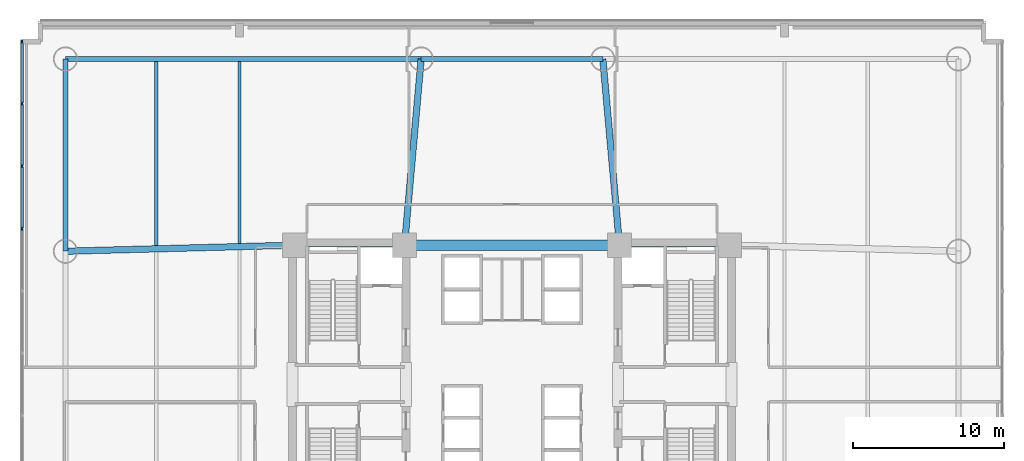
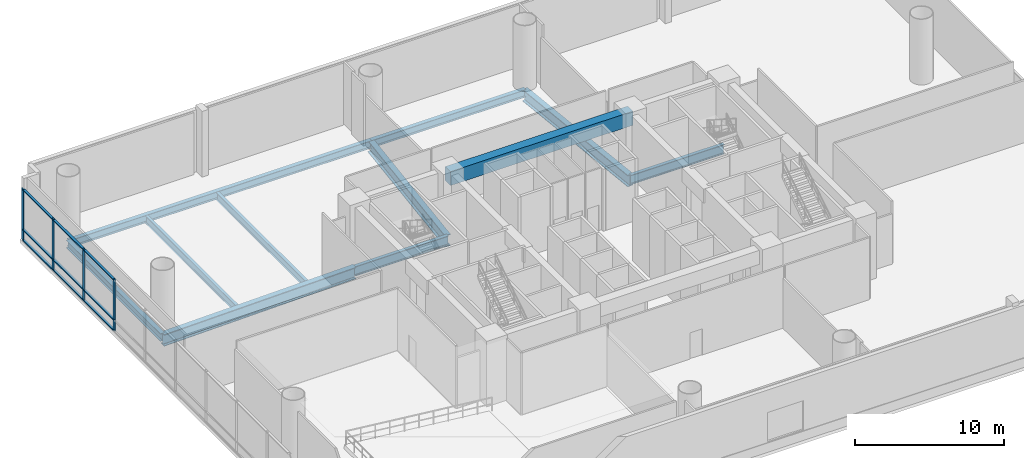
# One storey, part 4 of 15: 13 members, 11 beams, 1 element without a shape of its own.
"""IFC4 building model written with IfcOpenShell, lengths in metres."""

from ifc_helpers import new_model, si_unit, direction, frame, origin, origin_2d, place, context, subcontext, project, spatial, rectangle, i_section, extrude, source, transform, mapped, material, layer, layer_set, material_profile, profile_set, type_object, element, aggregate, save


model = new_model("IFC4")

# Units and contexts
model_context = context("Model", 3, precision=1e-05, world=origin(), true_north=direction((0.0, 1.0)))
body_context = subcontext(model_context, "Body", "Model", "MODEL_VIEW")
ifc_project = project(units=[si_unit("LENGTHUNIT", "METRE"), si_unit("AREAUNIT", "SQUARE_METRE"), si_unit("VOLUMEUNIT", "CUBIC_METRE"), si_unit("PLANEANGLEUNIT", "RADIAN"), si_unit("MASSUNIT", "GRAM", prefix="KILO")], contexts=[model_context])

# Site, building, storey
site_placement = place(None, origin())
site = spatial("IfcSite", under=ifc_project, at=site_placement, CompositionType="ELEMENT")
building_placement = place(site_placement, origin())
building = spatial("IfcBuilding", under=site, at=building_placement, Name="Zahravan Cultural Tower", CompositionType="ELEMENT")
storey_placement = place(building_placement, frame((0.0, 0.0, 12.60009765625)))
storey = spatial("IfcBuildingStorey", under=building, at=storey_placement, Name="L02", CompositionType="ELEMENT", Elevation=12.60009765625)

# Beams
ifc_material_1 = material(Name="Concrete C50/60", Category="concrete")
ifc_material_profile_1 = material_profile(ifc_material_1, rectangle(XDim=0.699951171875, YDim=1.14990234375, at=origin_2d()), Name="RC700X1150")
ifc_profile_set_1 = profile_set([ifc_material_profile_1], Name="Concrete C50/60")
beam_type_1 = type_object("IfcBeamType", Name="BM-LN-RC700X1150", PredefinedType="LINTEL", material=ifc_profile_set_1)
shared_shape_1 = source(origin(), body_context, "Body", "SweptSolid", [
    extrude(rectangle(XDim=0.699951171875, YDim=1.14990234375, at=origin_2d()), origin(), (0.0, 0.0, 1.0), 14.2001953125),
])
beam_1_placement = place(storey_placement, frame((28.89990234375, 36.199951171875, 4.52490234375), z_axis=(1.0, 0.0, 0.0), x_axis=(0.0, 1.0, 0.0)))
element("IfcBeam", 1, at=beam_1_placement, inside=storey, type_object=beam_type_1, Name="L02 Beam LN-L02-N", PredefinedType="LINTEL", context=body_context, shape_type="MappedRepresentation", body=[
    mapped(shared_shape_1, transform((0.0, 0.0, 0.0), x_axis=(1.0, 0.0, 0.0), y_axis=(0.0, 1.0, 0.0), z_axis=(0.0, 0.0, 1.0), scale=1.0)),
])
ifc_material_2 = material(Name="Steel ASTM A992 Grade 50", Category="steel")
ifc_material_profile_2 = material_profile(ifc_material_2, i_section(OverallWidth=0.26611328125, OverallDepth=0.780029296875, WebThickness=0.0166015625, FlangeThickness=0.030029296875, FilletRadius=0.01904296875, at=origin_2d()), Name="W30X148")
ifc_profile_set_2 = profile_set([ifc_material_profile_2], Name="Steel ASTM A992 Grade 50")
beam_type_2 = type_object("IfcBeamType", Name="BM-G-W30X148", PredefinedType="BEAM", material=ifc_profile_set_2)
shared_shape_2 = source(origin(), body_context, "Body", "SweptSolid", [
    extrude(i_section(OverallWidth=0.26611328125, OverallDepth=0.780029296875, WebThickness=0.0166015625, FlangeThickness=0.030029296875, FilletRadius=0.01904296875, at=origin_2d()), origin(), (0.0, 0.0, 1.0), 7.25),
])
for number, where, z_axis, x_axis, name in (
    (2, (21.64990234375, 36.199951171875, -0.690185546875), (1.0, 0.0, 0.0), (0.0, 1.0, 0.0), "L02 Beam BG-L02-02"),
    (3, (43.10009765625, 36.199951171875, -0.690185546875), (1.0, 0.0, 0.0), (0.0, 1.0, 0.0), "L02 Beam BG-L02-05"),
):
    element("IfcBeam", number, at=place(storey_placement, frame(where, z_axis=z_axis, x_axis=x_axis)), inside=storey, type_object=beam_type_2, Name=name, PredefinedType="BEAM", context=body_context, shape_type="MappedRepresentation", body=[
        mapped(shared_shape_2, transform((0.0, 0.0, 0.0), x_axis=(1.0, 0.0, 0.0), y_axis=(0.0, 1.0, 0.0), z_axis=(0.0, 0.0, 1.0), scale=1.0)),
    ])
ifc_material_profile_3 = material_profile(ifc_material_2, i_section(OverallWidth=0.326904296875, OverallDepth=0.6220703125, WebThickness=0.015380859375, FlangeThickness=0.0244140625, FilletRadius=0.014892578125, at=origin_2d()), Name="W24X131")
ifc_profile_set_3 = profile_set([ifc_material_profile_3], Name="Steel ASTM A992 Grade 50")
beam_type_3 = type_object("IfcBeamType", Name="BM-SP-W24X131", PredefinedType="SPANDREL", material=ifc_profile_set_3)
shared_shape_3 = source(origin(), body_context, "Body", "SweptSolid", [
    extrude(i_section(OverallWidth=0.326904296875, OverallDepth=0.6220703125, WebThickness=0.015380859375, FlangeThickness=0.0244140625, FilletRadius=0.014892578125, at=origin_2d()), origin(), (0.0, 0.0, 1.0), 23.5),
])
beam_2_placement = place(storey_placement, frame((6.5, 48.5, -0.611083984375), z_axis=(1.0, 0.0, 0.0), x_axis=(0.0, 1.0, 0.0)))
element("IfcBeam", 4, at=beam_2_placement, inside=storey, type_object=beam_type_3, Name="L02 Beam BG-L02-10", PredefinedType="SPANDREL", context=body_context, shape_type="MappedRepresentation", body=[
    mapped(shared_shape_3, transform((0.0, 0.0, 0.0), x_axis=(1.0, 0.0, 0.0), y_axis=(0.0, 1.0, 0.0), z_axis=(0.0, 0.0, 1.0), scale=1.0)),
])
shared_shape_4 = source(origin(), body_context, "Body", "SweptSolid", [
    extrude(i_section(OverallWidth=0.326904296875, OverallDepth=0.6220703125, WebThickness=0.015380859375, FlangeThickness=0.0244140625, FilletRadius=0.014892578125, at=origin_2d()), origin(), (0.0, 0.0, 1.0), 12.0),
])
beam_3_placement = place(storey_placement, frame((30.0, 48.5, -0.611083984375), z_axis=(1.0, 0.0, 0.0), x_axis=(0.0, 1.0, 0.0)))
element("IfcBeam", 5, at=beam_3_placement, inside=storey, type_object=beam_type_3, Name="L02 Beam BG-L02-11", PredefinedType="SPANDREL", context=body_context, shape_type="MappedRepresentation", body=[
    mapped(shared_shape_4, transform((0.0, 0.0, 0.0), x_axis=(1.0, 0.0, 0.0), y_axis=(0.0, 1.0, 0.0), z_axis=(0.0, 0.0, 1.0), scale=1.0)),
])
shared_shape_5 = source(origin(), body_context, "Body", "SweptSolid", [
    extrude(i_section(OverallWidth=0.326904296875, OverallDepth=0.6220703125, WebThickness=0.015380859375, FlangeThickness=0.0244140625, FilletRadius=0.014892578125, at=origin_2d()), origin(), (0.0, 0.0, 1.0), 12.699951171875),
])
beam_4_placement = place(storey_placement, frame((6.5, 35.800048828125, -0.611083984375), z_axis=(0.0, 1.0, 0.0), x_axis=(-1.0, 0.0, 0.0)))
element("IfcBeam", 6, at=beam_4_placement, inside=storey, type_object=beam_type_3, Name="L02 Beam BG-L02-15", PredefinedType="SPANDREL", context=body_context, shape_type="MappedRepresentation", body=[
    mapped(shared_shape_5, transform((0.0, 0.0, 0.0), x_axis=(1.0, 0.0, 0.0), y_axis=(0.0, 1.0, 0.0), z_axis=(0.0, 0.0, 1.0), scale=1.0)),
])
ifc_material_profile_4 = material_profile(ifc_material_2, i_section(OverallWidth=0.425048828125, OverallDepth=0.965087890625, WebThickness=0.0283203125, FlangeThickness=0.051025390625, FilletRadius=0.02392578125, at=origin_2d()), Name="W36X361")
ifc_profile_set_4 = profile_set([ifc_material_profile_4], Name="Steel ASTM A992 Grade 50")
beam_type_4 = type_object("IfcBeamType", Name="BM-G-W36X361", PredefinedType="BEAM", material=ifc_profile_set_4)
shared_shape_6 = source(origin(), body_context, "Body", "SweptSolid", [
    extrude(i_section(OverallWidth=0.425048828125, OverallDepth=0.965087890625, WebThickness=0.0283203125, FlangeThickness=0.051025390625, FilletRadius=0.02392578125, at=origin_2d()), origin(), (0.0, 0.0, 1.0), 15.1552734375),
])
beam_5_placement = place(storey_placement, frame((6.5, 35.800048828125, -0.78271484375), z_axis=(0.999651797923, 0.026387173188, 0.0), x_axis=(-0.026387173188, 0.999651797923, 0.0)))
element("IfcBeam", 7, at=beam_5_placement, inside=storey, type_object=beam_type_4, Name="L02 Beam BG-L02-20", PredefinedType="BEAM", context=body_context, shape_type="MappedRepresentation", body=[
    mapped(shared_shape_6, transform((0.0, 0.0, 0.0), x_axis=(1.0, 0.0, 0.0), y_axis=(0.0, 1.0, 0.0), z_axis=(0.0, 0.0, 1.0), scale=1.0)),
])
shared_shape_7 = source(origin(), body_context, "Body", "SweptSolid", [
    extrude(i_section(OverallWidth=0.425048828125, OverallDepth=0.965087890625, WebThickness=0.0283203125, FlangeThickness=0.051025390625, FilletRadius=0.02392578125, at=origin_2d()), origin(), (0.0, 0.0, 1.0), 12.34912109375),
])
for number, where, z_axis, x_axis, name in (
    (8, (30.0, 48.5, -0.78271484375), (-0.089082890706, -0.996024215862, 0.0), (0.996024215862, -0.089082890706, 0.0), "L02 Beam BG-L02-25"),
    (9, (42.0, 48.5, -0.78271484375), (0.089082890706, -0.996024215862, 0.0), (0.996024215862, 0.089082890706, 0.0), "L02 Beam BG-L02-26"),
):
    element("IfcBeam", number, at=place(storey_placement, frame(where, z_axis=z_axis, x_axis=x_axis)), inside=storey, type_object=beam_type_4, Name=name, PredefinedType="BEAM", context=body_context, shape_type="MappedRepresentation", body=[
        mapped(shared_shape_7, transform((0.0, 0.0, 0.0), x_axis=(1.0, 0.0, 0.0), y_axis=(0.0, 1.0, 0.0), z_axis=(0.0, 0.0, 1.0), scale=1.0)),
    ])
ifc_material_profile_5 = material_profile(ifc_material_2, i_section(OverallWidth=0.22998046875, OverallDepth=0.616943359375, WebThickness=0.01318359375, FlangeThickness=0.022216796875, FilletRadius=0.014892578125, at=origin_2d()), Name="W24X94")
ifc_profile_set_5 = profile_set([ifc_material_profile_5], Name="Steel ASTM A992 Grade 50")
beam_type_5 = type_object("IfcBeamType", Name="BM-J-W24X94", PredefinedType="JOIST", material=ifc_profile_set_5)
shared_shape_8 = source(origin(), body_context, "Body", "SweptSolid", [
    extrude(i_section(OverallWidth=0.22998046875, OverallDepth=0.616943359375, WebThickness=0.01318359375, FlangeThickness=0.022216796875, FilletRadius=0.014892578125, at=origin_2d()), origin(), (0.0, 0.0, 1.0), 12.16357421875),
])
beam_6_placement = place(storey_placement, frame((12.5, 36.17138671875, -0.608642578125), z_axis=(0.0, 1.0, 0.0), x_axis=(-1.0, 0.0, 0.0)))
element("IfcBeam", 10, at=beam_6_placement, inside=storey, type_object=beam_type_5, Name="L02 Beam BJ-L02-31", PredefinedType="JOIST", context=body_context, shape_type="MappedRepresentation", body=[
    mapped(shared_shape_8, transform((0.0, 0.0, 0.0), x_axis=(1.0, 0.0, 0.0), y_axis=(0.0, 1.0, 0.0), z_axis=(0.0, 0.0, 1.0), scale=1.0)),
])
shared_shape_9 = source(origin(), body_context, "Body", "SweptSolid", [
    extrude(i_section(OverallWidth=0.22998046875, OverallDepth=0.616943359375, WebThickness=0.01318359375, FlangeThickness=0.022216796875, FilletRadius=0.014892578125, at=origin_2d()), origin(), (0.0, 0.0, 1.0), 12.018310546875),
])
beam_7_placement = place(storey_placement, frame((18.0, 36.316650390625, -0.608642578125), z_axis=(0.0, 1.0, 0.0), x_axis=(-1.0, 0.0, 0.0)))
element("IfcBeam", 11, at=beam_7_placement, inside=storey, type_object=beam_type_5, Name="L02 Beam BJ-L02-33", PredefinedType="JOIST", context=body_context, shape_type="MappedRepresentation", body=[
    mapped(shared_shape_9, transform((0.0, 0.0, 0.0), x_axis=(1.0, 0.0, 0.0), y_axis=(0.0, 1.0, 0.0), z_axis=(0.0, 0.0, 1.0), scale=1.0)),
])

# Curtain wall, members
ifc_material_3 = material(Name="Anodised bronze-aluminium mullion", Category="aluminium")
ifc_layer = layer(ifc_material_3, 0.239990234375)
ifc_layer_set = layer_set([ifc_layer], Name="Anodised bronze-aluminium mullion")
curtain_wall_type = type_object("IfcCurtainWallType", Name="CW-SYS-5", PredefinedType="USERDEFINED", material=ifc_layer_set)
curtain_wall_placement = place(storey_placement, origin())
curtain_wall = element("IfcCurtainWall", 12, at=curtain_wall_placement, inside=storey, type_object=curtain_wall_type, Name="L02 Recessed Curtain Wall CW-5.2", ObjectType="RECESSED GLAZING", PredefinedType="USERDEFINED")
ifc_material_profile_6 = material_profile(ifc_material_3, rectangle(XDim=0.0849609375, YDim=0.239990234375, at=origin_2d()), Name="AL-M85X240")
ifc_profile_set_6 = profile_set([ifc_material_profile_6], Name="Anodised bronze-aluminium mullion")
member_type_1 = type_object("IfcMemberType", Name="CWM-CW-5", PredefinedType="MULLION", material=ifc_profile_set_6)
shared_shape_10 = source(origin(), body_context, "Body", "SweptSolid", [
    extrude(rectangle(XDim=0.0849609375, YDim=0.239990234375, at=origin_2d()), origin(), (0.0, 0.0, 1.0), 4.219970703125),
])
member_1_placement = place(storey_placement, frame((3.639892578125, 37.300048828125, 0.0), z_axis=(0.0, 0.0, 1.0), x_axis=(-1.0, 0.0, 0.0)))
member_1 = element("IfcMember", 13, at=member_1_placement, type_object=member_type_1, Name="CW-5 mullion 9", PredefinedType="MULLION", context=body_context, shape_type="MappedRepresentation", body=[
    mapped(shared_shape_10, transform((0.0, 0.0, 0.0), x_axis=(1.0, 0.0, 0.0), y_axis=(0.0, 1.0, 0.0), z_axis=(0.0, 0.0, 1.0), scale=1.0)),
])
member_2_placement = place(storey_placement, frame((3.639892578125, 41.419921875, 0.0), z_axis=(0.0, 0.0, 1.0), x_axis=(-1.0, 0.0, 0.0)))
member_2 = element("IfcMember", 14, at=member_2_placement, type_object=member_type_1, Name="CW-5 mullion 10", PredefinedType="MULLION", context=body_context, shape_type="MappedRepresentation", body=[
    mapped(shared_shape_10, transform((0.0, 0.0, 0.0), x_axis=(1.0, 0.0, 0.0), y_axis=(0.0, 1.0, 0.0), z_axis=(0.0, 0.0, 1.0), scale=1.0)),
])
member_3_placement = place(storey_placement, frame((3.639892578125, 45.5400390625, 0.0), z_axis=(0.0, 0.0, 1.0), x_axis=(-1.0, 0.0, 0.0)))
member_3 = element("IfcMember", 15, at=member_3_placement, type_object=member_type_1, Name="CW-5 mullion 11", PredefinedType="MULLION", context=body_context, shape_type="MappedRepresentation", body=[
    mapped(shared_shape_10, transform((0.0, 0.0, 0.0), x_axis=(1.0, 0.0, 0.0), y_axis=(0.0, 1.0, 0.0), z_axis=(0.0, 0.0, 1.0), scale=1.0)),
])
member_4_placement = place(storey_placement, frame((3.639892578125, 49.617431640625, 0.0), z_axis=(0.0, 0.0, 1.0), x_axis=(-1.0, 0.0, 0.0)))
member_4 = element("IfcMember", 16, at=member_4_placement, type_object=member_type_1, Name="CW-5 mullion 12", PredefinedType="MULLION", context=body_context, shape_type="MappedRepresentation", body=[
    mapped(shared_shape_10, transform((0.0, 0.0, 0.0), x_axis=(1.0, 0.0, 0.0), y_axis=(0.0, 1.0, 0.0), z_axis=(0.0, 0.0, 1.0), scale=1.0)),
])
ifc_material_profile_7 = material_profile(ifc_material_3, rectangle(XDim=0.179931640625, YDim=0.0849609375, at=origin_2d()), Name="AL-T85X180")
ifc_profile_set_7 = profile_set([ifc_material_profile_7], Name="Anodised bronze-aluminium mullion")
member_type_2 = type_object("IfcMemberType", Name="CWT-CW-5", PredefinedType="USERDEFINED", material=ifc_profile_set_7)
shared_shape_11 = source(origin(), body_context, "Body", "SweptSolid", [
    extrude(rectangle(XDim=0.179931640625, YDim=0.0849609375, at=origin_2d()), origin(), (0.0, 0.0, 1.0), 3.992431640625),
])
member_5_placement = place(storey_placement, frame((3.639892578125, 45.58251953125, 0.04248046875), z_axis=(0.0, 1.0, 0.0), x_axis=(-1.0, 0.0, 0.0)))
member_5 = element("IfcMember", 17, at=member_5_placement, type_object=member_type_2, Name="CW-5 transom 11.1", ObjectType="TRANSOM", PredefinedType="USERDEFINED", context=body_context, shape_type="MappedRepresentation", body=[
    mapped(shared_shape_11, transform((0.0, 0.0, 0.0), x_axis=(1.0, 0.0, 0.0), y_axis=(0.0, 1.0, 0.0), z_axis=(0.0, 0.0, 1.0), scale=1.0)),
])
member_6_placement = place(storey_placement, frame((3.639892578125, 45.58251953125, 0.89990234375), z_axis=(0.0, 1.0, 0.0), x_axis=(-1.0, 0.0, 0.0)))
member_6 = element("IfcMember", 18, at=member_6_placement, type_object=member_type_2, Name="CW-5 transom 11.2", ObjectType="TRANSOM", PredefinedType="USERDEFINED", context=body_context, shape_type="MappedRepresentation", body=[
    mapped(shared_shape_11, transform((0.0, 0.0, 0.0), x_axis=(1.0, 0.0, 0.0), y_axis=(0.0, 1.0, 0.0), z_axis=(0.0, 0.0, 1.0), scale=1.0)),
])
member_7_placement = place(storey_placement, frame((3.639892578125, 45.58251953125, 4.177490234375), z_axis=(0.0, 1.0, 0.0), x_axis=(-1.0, 0.0, 0.0)))
member_7 = element("IfcMember", 19, at=member_7_placement, type_object=member_type_2, Name="CW-5 transom 11.3", ObjectType="TRANSOM", PredefinedType="USERDEFINED", context=body_context, shape_type="MappedRepresentation", body=[
    mapped(shared_shape_11, transform((0.0, 0.0, 0.0), x_axis=(1.0, 0.0, 0.0), y_axis=(0.0, 1.0, 0.0), z_axis=(0.0, 0.0, 1.0), scale=1.0)),
])
shared_shape_12 = source(origin(), body_context, "Body", "SweptSolid", [
    extrude(rectangle(XDim=0.179931640625, YDim=0.0849609375, at=origin_2d()), origin(), (0.0, 0.0, 1.0), 4.03515625),
])
member_8_placement = place(storey_placement, frame((3.639892578125, 41.46240234375, 0.04248046875), z_axis=(0.0, 1.0, 0.0), x_axis=(-1.0, 0.0, 0.0)))
member_8 = element("IfcMember", 20, at=member_8_placement, type_object=member_type_2, Name="CW-5 transom 10.1", ObjectType="TRANSOM", PredefinedType="USERDEFINED", context=body_context, shape_type="MappedRepresentation", body=[
    mapped(shared_shape_12, transform((0.0, 0.0, 0.0), x_axis=(1.0, 0.0, 0.0), y_axis=(0.0, 1.0, 0.0), z_axis=(0.0, 0.0, 1.0), scale=1.0)),
])
member_9_placement = place(storey_placement, frame((3.639892578125, 41.46240234375, 0.89990234375), z_axis=(0.0, 1.0, 0.0), x_axis=(-1.0, 0.0, 0.0)))
member_9 = element("IfcMember", 21, at=member_9_placement, type_object=member_type_2, Name="CW-5 transom 10.2", ObjectType="TRANSOM", PredefinedType="USERDEFINED", context=body_context, shape_type="MappedRepresentation", body=[
    mapped(shared_shape_12, transform((0.0, 0.0, 0.0), x_axis=(1.0, 0.0, 0.0), y_axis=(0.0, 1.0, 0.0), z_axis=(0.0, 0.0, 1.0), scale=1.0)),
])
member_10_placement = place(storey_placement, frame((3.639892578125, 41.46240234375, 4.177490234375), z_axis=(0.0, 1.0, 0.0), x_axis=(-1.0, 0.0, 0.0)))
member_10 = element("IfcMember", 22, at=member_10_placement, type_object=member_type_2, Name="CW-5 transom 10.3", ObjectType="TRANSOM", PredefinedType="USERDEFINED", context=body_context, shape_type="MappedRepresentation", body=[
    mapped(shared_shape_12, transform((0.0, 0.0, 0.0), x_axis=(1.0, 0.0, 0.0), y_axis=(0.0, 1.0, 0.0), z_axis=(0.0, 0.0, 1.0), scale=1.0)),
])
shared_shape_13 = source(origin(), body_context, "Body", "SweptSolid", [
    extrude(rectangle(XDim=0.179931640625, YDim=0.0849609375, at=origin_2d()), origin(), (0.0, 0.0, 1.0), 4.034912109375),
])
member_11_placement = place(storey_placement, frame((3.639892578125, 37.342529296875, 0.04248046875), z_axis=(0.0, 1.0, 0.0), x_axis=(-1.0, 0.0, 0.0)))
member_11 = element("IfcMember", 23, at=member_11_placement, type_object=member_type_2, Name="CW-5 transom 9.1", ObjectType="TRANSOM", PredefinedType="USERDEFINED", context=body_context, shape_type="MappedRepresentation", body=[
    mapped(shared_shape_13, transform((0.0, 0.0, 0.0), x_axis=(1.0, 0.0, 0.0), y_axis=(0.0, 1.0, 0.0), z_axis=(0.0, 0.0, 1.0), scale=1.0)),
])
member_12_placement = place(storey_placement, frame((3.639892578125, 37.342529296875, 0.89990234375), z_axis=(0.0, 1.0, 0.0), x_axis=(-1.0, 0.0, 0.0)))
member_12 = element("IfcMember", 24, at=member_12_placement, type_object=member_type_2, Name="CW-5 transom 9.2", ObjectType="TRANSOM", PredefinedType="USERDEFINED", context=body_context, shape_type="MappedRepresentation", body=[
    mapped(shared_shape_13, transform((0.0, 0.0, 0.0), x_axis=(1.0, 0.0, 0.0), y_axis=(0.0, 1.0, 0.0), z_axis=(0.0, 0.0, 1.0), scale=1.0)),
])
member_13_placement = place(storey_placement, frame((3.639892578125, 37.342529296875, 4.177490234375), z_axis=(0.0, 1.0, 0.0), x_axis=(-1.0, 0.0, 0.0)))
member_13 = element("IfcMember", 25, at=member_13_placement, type_object=member_type_2, Name="CW-5 transom 9.3", ObjectType="TRANSOM", PredefinedType="USERDEFINED", context=body_context, shape_type="MappedRepresentation", body=[
    mapped(shared_shape_13, transform((0.0, 0.0, 0.0), x_axis=(1.0, 0.0, 0.0), y_axis=(0.0, 1.0, 0.0), z_axis=(0.0, 0.0, 1.0), scale=1.0)),
])
aggregate(curtain_wall, [member_1, member_2, member_3, member_4, member_11, member_12, member_13, member_8, member_9, member_10, member_5, member_6, member_7])

save(model, "model.ifc")
